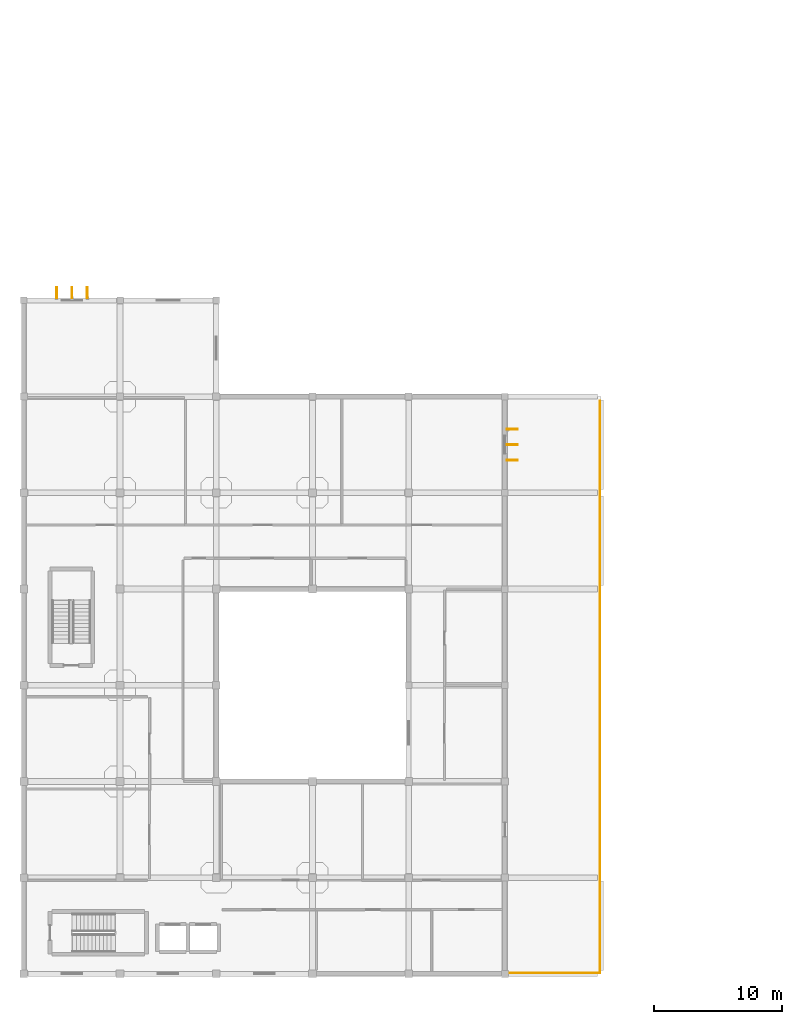
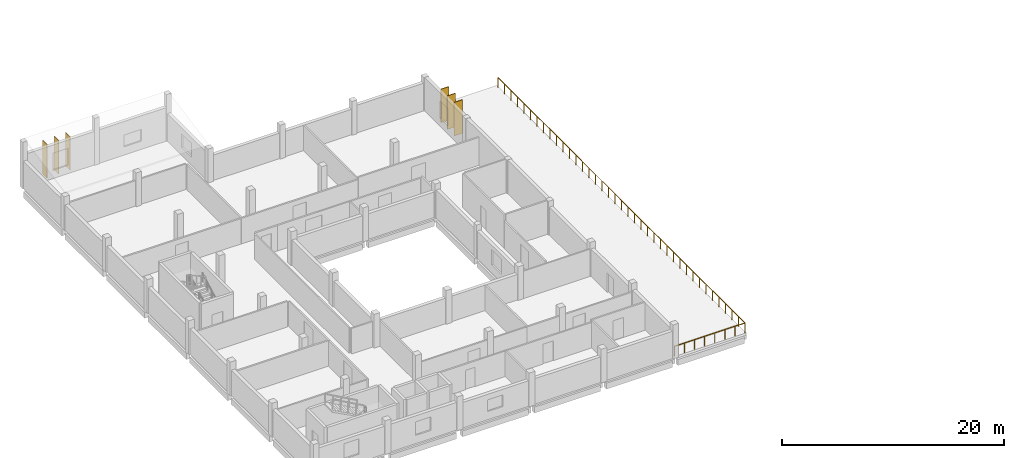
# One storey, part 18 of 21: 6 shading devices, 2 railings.
"""IFC4 building model written with IfcOpenShell, lengths in metres."""

from ifc_helpers import new_model, si_unit, direction, frame, origin, origin_2d, place, context, subcontext, project, spatial, hollow_rectangle, circle, extrude, material, material_profile, profile_set, type_object, element, save


model = new_model("IFC4")

# Units and contexts
model_context = context("Model", 3, precision=1e-05, world=origin(), true_north=direction((0.0, 1.0)))
body_context = subcontext(model_context, "Body", "Model", "MODEL_VIEW")
ifc_project = project(units=[si_unit("LENGTHUNIT", "METRE"), si_unit("AREAUNIT", "SQUARE_METRE"), si_unit("VOLUMEUNIT", "CUBIC_METRE"), si_unit("PLANEANGLEUNIT", "RADIAN"), si_unit("MASSUNIT", "GRAM", prefix="KILO")], contexts=[model_context])

# Site, building, storey
site_placement = place(None, origin())
site = spatial("IfcSite", under=ifc_project, at=site_placement, CompositionType="ELEMENT")
building_placement = place(site_placement, origin())
building = spatial("IfcBuilding", under=site, at=building_placement, Name="Mawjan Specialist Oncology Clinic", CompositionType="ELEMENT")
storey_placement = place(building_placement, frame((0.0, 0.0, 13.5)))
storey = spatial("IfcBuildingStorey", under=building, at=storey_placement, Name="L03", CompositionType="ELEMENT", Elevation=13.5)

# Railings
ifc_material_1 = material(Name="Laminated glass and stainless-steel balustrade", Category="steel")
railing_type = type_object("IfcRailingType", Name="BL-110", PredefinedType="BALUSTRADE", material=ifc_material_1)
railing_1_placement = place(storey_placement, frame((44.919921875, 45.4599609375, 0.0)))
element("IfcRailing", 1, at=railing_1_placement, inside=storey, type_object=railing_type, Name="L03 Terrace Edge Balustrade 5", PredefinedType="BALUSTRADE", context=body_context, shape_type="SweptSolid", body=[
    extrude(circle(Radius=0.02392578125, at=origin_2d()), frame((0.0, 0.0, 1.076171875), z_axis=(0.0, -1.0, 0.0), x_axis=(1.0, 0.0, 0.0)), (0.0, 0.0, 1.0), 44.580078125),
    extrude(circle(Radius=0.02099609375, at=origin_2d()), origin(), (0.0, 0.0, 1.0), 1.052001953125),
    extrude(circle(Radius=0.02099609375, at=origin_2d()), frame((0.0, -1.173095703125, 0.0)), (0.0, 0.0, 1.0), 1.052001953125),
    extrude(circle(Radius=0.02099609375, at=origin_2d()), frame((0.0, -2.346435546875, 0.0)), (0.0, 0.0, 1.0), 1.052001953125),
    extrude(circle(Radius=0.02099609375, at=origin_2d()), frame((0.0, -3.51953125, 0.0)), (0.0, 0.0, 1.0), 1.052001953125),
    extrude(circle(Radius=0.02099609375, at=origin_2d()), frame((0.0, -4.692626953125, 0.0)), (0.0, 0.0, 1.0), 1.052001953125),
    extrude(circle(Radius=0.02099609375, at=origin_2d()), frame((0.0, -5.86572265625, 0.0)), (0.0, 0.0, 1.0), 1.052001953125),
    extrude(circle(Radius=0.02099609375, at=origin_2d()), frame((0.0, -7.0390625, 0.0)), (0.0, 0.0, 1.0), 1.052001953125),
    extrude(circle(Radius=0.02099609375, at=origin_2d()), frame((0.0, -8.212158203125, 0.0)), (0.0, 0.0, 1.0), 1.052001953125),
    extrude(circle(Radius=0.02099609375, at=origin_2d()), frame((0.0, -9.38525390625, 0.0)), (0.0, 0.0, 1.0), 1.052001953125),
    extrude(circle(Radius=0.02099609375, at=origin_2d()), frame((0.0, -10.558349609375, 0.0)), (0.0, 0.0, 1.0), 1.052001953125),
    extrude(circle(Radius=0.02099609375, at=origin_2d()), frame((0.0, -11.731689453125, 0.0)), (0.0, 0.0, 1.0), 1.052001953125),
    extrude(circle(Radius=0.02099609375, at=origin_2d()), frame((0.0, -12.90478515625, 0.0)), (0.0, 0.0, 1.0), 1.052001953125),
    extrude(circle(Radius=0.02099609375, at=origin_2d()), frame((0.0, -14.077880859375, 0.0)), (0.0, 0.0, 1.0), 1.052001953125),
    extrude(circle(Radius=0.02099609375, at=origin_2d()), frame((0.0, -15.2509765625, 0.0)), (0.0, 0.0, 1.0), 1.052001953125),
    extrude(circle(Radius=0.02099609375, at=origin_2d()), frame((0.0, -16.42431640625, 0.0)), (0.0, 0.0, 1.0), 1.052001953125),
    extrude(circle(Radius=0.02099609375, at=origin_2d()), frame((0.0, -17.597412109375, 0.0)), (0.0, 0.0, 1.0), 1.052001953125),
    extrude(circle(Radius=0.02099609375, at=origin_2d()), frame((0.0, -18.7705078125, 0.0)), (0.0, 0.0, 1.0), 1.052001953125),
    extrude(circle(Radius=0.02099609375, at=origin_2d()), frame((0.0, -19.943603515625, 0.0)), (0.0, 0.0, 1.0), 1.052001953125),
    extrude(circle(Radius=0.02099609375, at=origin_2d()), frame((0.0, -21.116943359375, 0.0)), (0.0, 0.0, 1.0), 1.052001953125),
    extrude(circle(Radius=0.02099609375, at=origin_2d()), frame((0.0, -22.2900390625, 0.0)), (0.0, 0.0, 1.0), 1.052001953125),
    extrude(circle(Radius=0.02099609375, at=origin_2d()), frame((0.0, -23.463134765625, 0.0)), (0.0, 0.0, 1.0), 1.052001953125),
    extrude(circle(Radius=0.02099609375, at=origin_2d()), frame((0.0, -24.636474609375, 0.0)), (0.0, 0.0, 1.0), 1.052001953125),
    extrude(circle(Radius=0.02099609375, at=origin_2d()), frame((0.0, -25.8095703125, 0.0)), (0.0, 0.0, 1.0), 1.052001953125),
    extrude(circle(Radius=0.02099609375, at=origin_2d()), frame((0.0, -26.982666015625, 0.0)), (0.0, 0.0, 1.0), 1.052001953125),
    extrude(circle(Radius=0.02099609375, at=origin_2d()), frame((0.0, -28.15576171875, 0.0)), (0.0, 0.0, 1.0), 1.052001953125),
    extrude(circle(Radius=0.02099609375, at=origin_2d()), frame((0.0, -29.3291015625, 0.0)), (0.0, 0.0, 1.0), 1.052001953125),
    extrude(circle(Radius=0.02099609375, at=origin_2d()), frame((0.0, -30.502197265625, 0.0)), (0.0, 0.0, 1.0), 1.052001953125),
    extrude(circle(Radius=0.02099609375, at=origin_2d()), frame((0.0, -31.67529296875, 0.0)), (0.0, 0.0, 1.0), 1.052001953125),
    extrude(circle(Radius=0.02099609375, at=origin_2d()), frame((0.0, -32.848388671875, 0.0)), (0.0, 0.0, 1.0), 1.052001953125),
    extrude(circle(Radius=0.02099609375, at=origin_2d()), frame((0.0, -34.021728515625, 0.0)), (0.0, 0.0, 1.0), 1.052001953125),
    extrude(circle(Radius=0.02099609375, at=origin_2d()), frame((0.0, -35.19482421875, 0.0)), (0.0, 0.0, 1.0), 1.052001953125),
    extrude(circle(Radius=0.02099609375, at=origin_2d()), frame((0.0, -36.367919921875, 0.0)), (0.0, 0.0, 1.0), 1.052001953125),
    extrude(circle(Radius=0.02099609375, at=origin_2d()), frame((0.0, -37.541015625, 0.0)), (0.0, 0.0, 1.0), 1.052001953125),
    extrude(circle(Radius=0.02099609375, at=origin_2d()), frame((0.0, -38.71435546875, 0.0)), (0.0, 0.0, 1.0), 1.052001953125),
    extrude(circle(Radius=0.02099609375, at=origin_2d()), frame((0.0, -39.887451171875, 0.0)), (0.0, 0.0, 1.0), 1.052001953125),
    extrude(circle(Radius=0.02099609375, at=origin_2d()), frame((0.0, -41.060546875, 0.0)), (0.0, 0.0, 1.0), 1.052001953125),
    extrude(circle(Radius=0.02099609375, at=origin_2d()), frame((0.0, -42.233642578125, 0.0)), (0.0, 0.0, 1.0), 1.052001953125),
    extrude(circle(Radius=0.02099609375, at=origin_2d()), frame((0.0, -43.406982421875, 0.0)), (0.0, 0.0, 1.0), 1.052001953125),
    extrude(circle(Radius=0.02099609375, at=origin_2d()), frame((0.0, -44.580078125, 0.0)), (0.0, 0.0, 1.0), 1.052001953125),
])
railing_2_placement = place(storey_placement, frame((44.919921875, 0.8798828125, 0.0)))
element("IfcRailing", 2, at=railing_2_placement, inside=storey, type_object=railing_type, Name="L03 Terrace Edge Balustrade 6", PredefinedType="BALUSTRADE", context=body_context, shape_type="SweptSolid", body=[
    extrude(circle(Radius=0.02392578125, at=origin_2d()), frame((0.0, 0.0, 1.076171875), z_axis=(-1.0, 0.0, 0.0), x_axis=(0.0, -1.0, 0.0)), (0.0, 0.0, 1.0), 7.33984375),
    extrude(circle(Radius=0.02099609375, at=origin_2d()), origin(), (0.0, 0.0, 1.0), 1.052001953125),
    extrude(circle(Radius=0.02099609375, at=origin_2d()), frame((-1.048583984375, 0.0, 0.0)), (0.0, 0.0, 1.0), 1.052001953125),
    extrude(circle(Radius=0.02099609375, at=origin_2d()), frame((-2.09716796875, 0.0, 0.0)), (0.0, 0.0, 1.0), 1.052001953125),
    extrude(circle(Radius=0.02099609375, at=origin_2d()), frame((-3.145751953125, 0.0, 0.0)), (0.0, 0.0, 1.0), 1.052001953125),
    extrude(circle(Radius=0.02099609375, at=origin_2d()), frame((-4.194091796875, 0.0, 0.0)), (0.0, 0.0, 1.0), 1.052001953125),
    extrude(circle(Radius=0.02099609375, at=origin_2d()), frame((-5.24267578125, 0.0, 0.0)), (0.0, 0.0, 1.0), 1.052001953125),
    extrude(circle(Radius=0.02099609375, at=origin_2d()), frame((-6.291259765625, 0.0, 0.0)), (0.0, 0.0, 1.0), 1.052001953125),
    extrude(circle(Radius=0.02099609375, at=origin_2d()), frame((-7.33984375, 0.0, 0.0)), (0.0, 0.0, 1.0), 1.052001953125),
])

# Shading devices
ifc_material_2 = material(Name="Bronze-anodised aluminium 6063-T6", Category="aluminium")
ifc_material_profile = material_profile(ifc_material_2, hollow_rectangle(XDim=0.070068359375, YDim=0.85009765625, WallThickness=0.0048828125, at=origin_2d()), Name="FIN 850x70x5", Category="aluminium")
ifc_profile_set = profile_set([ifc_material_profile], Name="Bronze-anodised aluminium 6063-T6")
shading_device_type = type_object("IfcShadingDeviceType", Name="SF-850", PredefinedType="USERDEFINED", material=ifc_profile_set)
for number, where, z_axis, x_axis, name in (
    (3, (38.090087890625, 43.25, 0.0), (0.0, 0.0, 1.0), (0.0, -1.0, 0.0), "L03 Vertical Solar Fin SF-0064"),
    (4, (38.090087890625, 42.050048828125, 0.0), (0.0, 0.0, 1.0), (0.0, -1.0, 0.0), "L03 Vertical Solar Fin SF-0065"),
    (5, (38.090087890625, 40.85009765625, 0.0), (0.0, 0.0, 1.0), (0.0, -1.0, 0.0), "L03 Vertical Solar Fin SF-0066"),
):
    element("IfcShadingDevice", number, at=place(storey_placement, frame(where, z_axis=z_axis, x_axis=x_axis)), inside=storey, type_object=shading_device_type, Name=name, ObjectType="SOLAR FIN", PredefinedType="USERDEFINED", context=body_context, shape_type="SweptSolid", body=[
        extrude(hollow_rectangle(XDim=0.070068359375, YDim=0.85009765625, WallThickness=0.0048828125, at=origin_2d()), origin(), (0.0, 0.0, 1.0), 3.699951171875),
    ])
for number, where, z_axis, x_axis, name in (
    (6, (2.550048828125, 53.889892578125, 0.0), (0.0, 0.0, 1.0), (1.0, 0.0, 0.0), "L03 Vertical Solar Fin SF-0067"),
    (7, (3.75, 53.889892578125, 0.0), (0.0, 0.0, 1.0), (1.0, 0.0, 0.0), "L03 Vertical Solar Fin SF-0068"),
    (8, (4.949951171875, 53.889892578125, 0.0), (0.0, 0.0, 1.0), (1.0, 0.0, 0.0), "L03 Vertical Solar Fin SF-0069"),
):
    element("IfcShadingDevice", number, at=place(storey_placement, frame(where, z_axis=z_axis, x_axis=x_axis)), inside=storey, type_object=shading_device_type, Name=name, ObjectType="SOLAR FIN", PredefinedType="USERDEFINED", context=body_context, shape_type="SweptSolid", body=[
        extrude(hollow_rectangle(XDim=0.070068359375, YDim=0.85009765625, WallThickness=0.0048828125, at=origin_2d()), origin(), (0.0, 0.0, 1.0), 3.68994140625),
    ])

save(model, "model.ifc")
